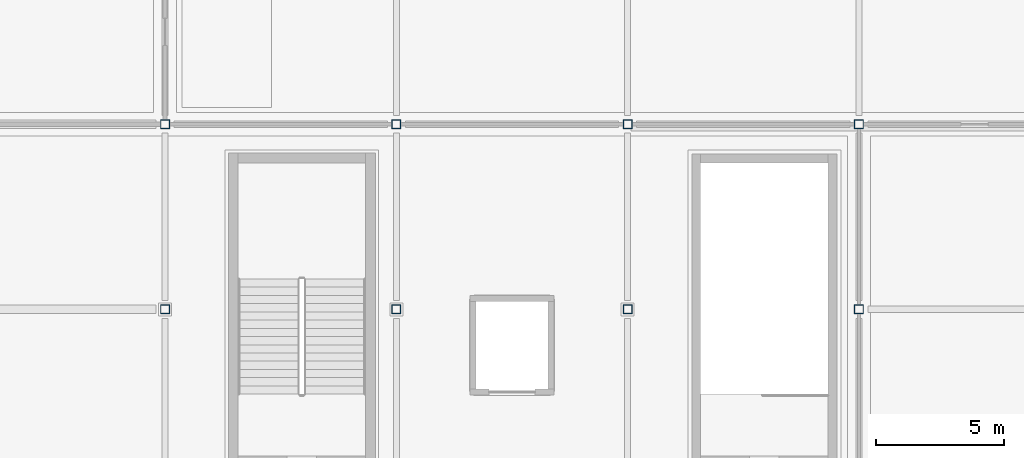
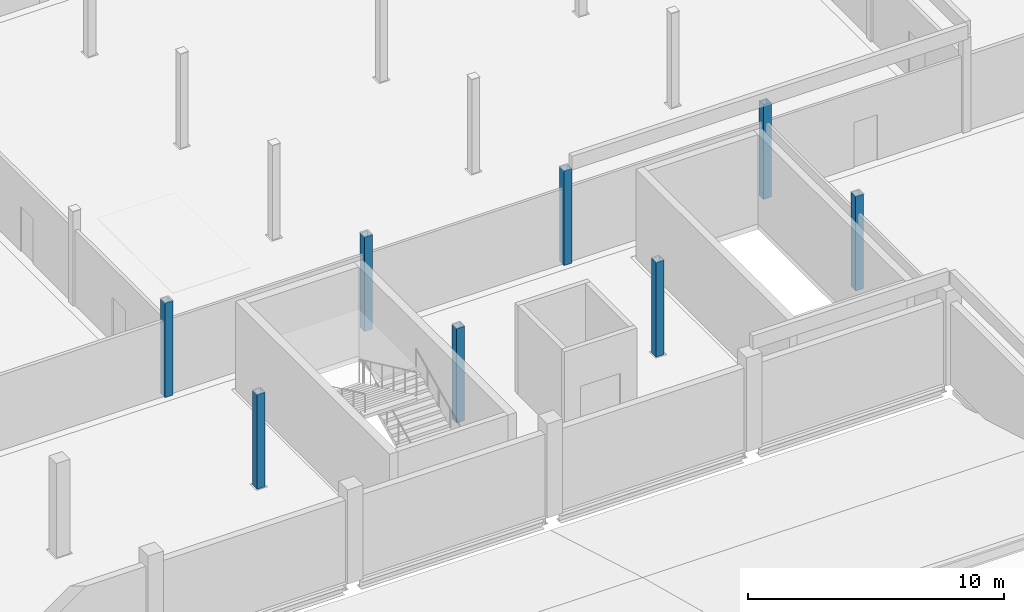
# One storey, part 2 of 124: 8 columns.
"""IFC4 building model written with IfcOpenShell, lengths in metres."""

from ifc_helpers import new_model, si_unit, direction, frame, origin, origin_2d, place, context, subcontext, project, spatial, hollow_rectangle, extrude, material, material_profile, profile_set, type_object, element, save


model = new_model("IFC4")

# Units and contexts
model_context = context("Model", 3, precision=1e-05, world=origin(), true_north=direction((0.0, 1.0)))
body_context = subcontext(model_context, "Body", "Model", "MODEL_VIEW")
ifc_project = project(units=[si_unit("LENGTHUNIT", "METRE"), si_unit("AREAUNIT", "SQUARE_METRE"), si_unit("VOLUMEUNIT", "CUBIC_METRE"), si_unit("PLANEANGLEUNIT", "RADIAN"), si_unit("MASSUNIT", "GRAM", prefix="KILO")], contexts=[model_context])

# Site, building, storey
site_placement = place(None, origin())
site = spatial("IfcSite", under=ifc_project, at=site_placement, CompositionType="ELEMENT")
building_placement = place(site_placement, origin())
building = spatial("IfcBuilding", under=site, at=building_placement, Name="Celestram Park Convention Centre", CompositionType="ELEMENT")
storey_placement = place(building_placement, frame((0.0, 0.0, 15.300048828125)))
storey = spatial("IfcBuildingStorey", under=building, at=storey_placement, Name="L03", CompositionType="ELEMENT", Elevation=15.300048828125)

# Columns
ifc_material = material(Name="Steel ASTM A500 Grade C", Category="steel")
ifc_material_profile = material_profile(ifc_material, hollow_rectangle(XDim=0.35009765625, YDim=0.35009765625, WallThickness=0.01611328125, at=origin_2d()), Name="HSS350X350X16")
ifc_profile_set = profile_set([ifc_material_profile], Name="Steel ASTM A500 Grade C")
column_type = type_object("IfcColumnType", Name="STR-COL-HSS350", PredefinedType="COLUMN", material=ifc_profile_set)
for number, where, z_axis, x_axis, name in (
    (1, (99.0, 115.199951171875, 0.0), (0.0, 0.0, 1.0), (1.0, 0.0, 0.0), "Column CN-L03-062"),
    (2, (99.0, 122.39990234375, 0.0), (0.0, 0.0, 1.0), (1.0, 0.0, 0.0), "Column CN-L03-063"),
    (3, (108.0, 115.199951171875, 0.0), (0.0, 0.0, 1.0), (1.0, 0.0, 0.0), "Column CN-L03-071"),
    (4, (108.0, 122.39990234375, 0.0), (0.0, 0.0, 1.0), (1.0, 0.0, 0.0), "Column CN-L03-072"),
    (5, (117.0, 115.199951171875, 0.0), (0.0, 0.0, 1.0), (1.0, 0.0, 0.0), "Column CN-L03-080"),
    (6, (117.0, 122.39990234375, 0.0), (0.0, 0.0, 1.0), (1.0, 0.0, 0.0), "Column CN-L03-081"),
    (7, (126.0, 115.199951171875, 0.0), (0.0, 0.0, 1.0), (1.0, 0.0, 0.0), "Column CN-L03-097"),
    (8, (126.0, 122.39990234375, 0.0), (0.0, 0.0, 1.0), (1.0, 0.0, 0.0), "Column CN-L03-098"),
):
    element("IfcColumn", number, at=place(storey_placement, frame(where, z_axis=z_axis, x_axis=x_axis)), inside=storey, type_object=column_type, Name=name, PredefinedType="COLUMN", context=body_context, shape_type="SweptSolid", body=[
        extrude(hollow_rectangle(XDim=0.35009765625, YDim=0.35009765625, WallThickness=0.01611328125, at=origin_2d()), origin(), (0.0, 0.0, 1.0), 4.5),
    ])

save(model, "model.ifc")
